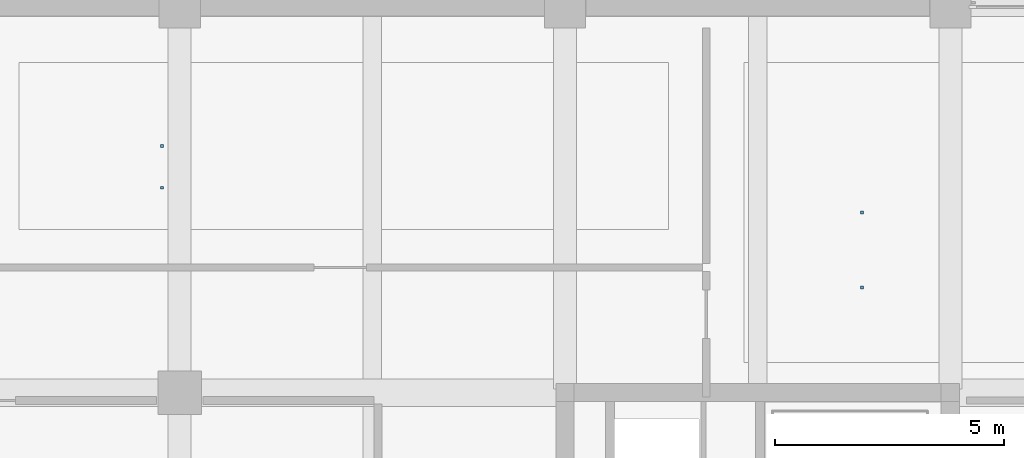
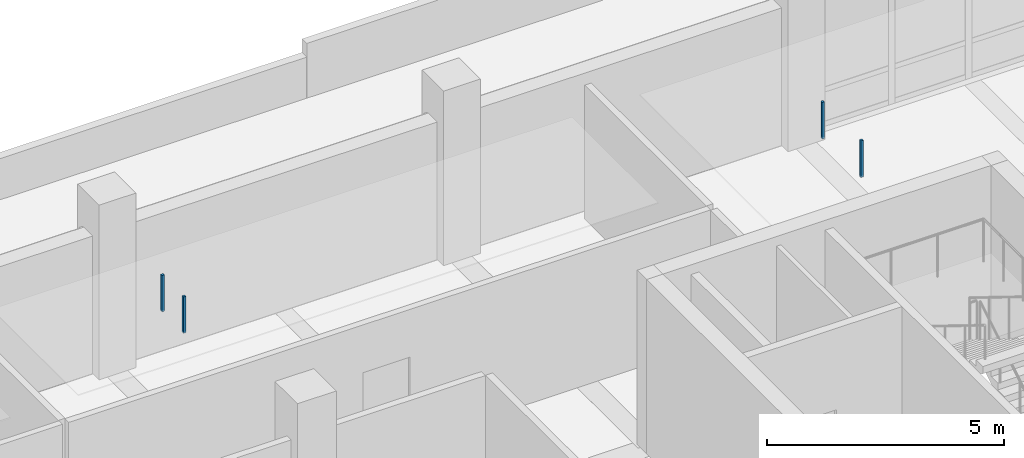
# One storey, part 32 of 59: 4 discrete accessories.
"""IFC4 building model written with IfcOpenShell, lengths in metres."""

from ifc_helpers import new_model, si_unit, direction, frame, origin, origin_2d, place, context, subcontext, project, spatial, rectangle, extrude, material, type_object, element, save


model = new_model("IFC4")

# Units and contexts
model_context = context("Model", 3, precision=1e-05, world=origin(), true_north=direction((0.0, 1.0)))
body_context = subcontext(model_context, "Body", "Model", "MODEL_VIEW")
ifc_project = project(units=[si_unit("LENGTHUNIT", "METRE"), si_unit("AREAUNIT", "SQUARE_METRE"), si_unit("VOLUMEUNIT", "CUBIC_METRE"), si_unit("PLANEANGLEUNIT", "RADIAN"), si_unit("MASSUNIT", "GRAM", prefix="KILO")], contexts=[model_context])

# Site, building, storey
site_placement = place(None, origin())
site = spatial("IfcSite", under=ifc_project, at=site_placement, CompositionType="ELEMENT")
building_placement = place(site_placement, origin())
building = spatial("IfcBuilding", under=site, at=building_placement, Name="Telukmera Botanical Conservatory", CompositionType="ELEMENT")
storey_placement = place(building_placement, frame((0.0, 0.0, 15.0)))
storey = spatial("IfcBuildingStorey", under=building, at=storey_placement, Name="L03", CompositionType="ELEMENT", Elevation=15.0)

# Discrete accessories
ifc_material = material(Name="Steel S355", Category="steel")
discrete_accessory_type = type_object("IfcDiscreteAccessoryType", Name="ACC-CEIL-HGR", PredefinedType="BRACKET", material=ifc_material)
for number, where, z_axis, x_axis, name in (
    (1, (83.613037109375, 38.862548828125, 3.320068359375), (0.0, 0.0, 1.0), (1.0, 0.0, 0.0), "L03 Suspended Ceiling Hanger Rod 045-1"),
    (2, (83.613037109375, 39.77490234375, 3.320068359375), (0.0, 0.0, 1.0), (1.0, 0.0, 0.0), "L03 Suspended Ceiling Hanger Rod 045-2"),
):
    element("IfcDiscreteAccessory", number, at=place(storey_placement, frame(where, z_axis=z_axis, x_axis=x_axis)), inside=storey, type_object=discrete_accessory_type, Name=name, PredefinedType="BRACKET", context=body_context, shape_type="SweptSolid", body=[
        extrude(rectangle(XDim=0.06005859375, YDim=0.06005859375, at=origin_2d()), origin(), (0.0, 0.0, 1.0), 0.93505859375),
    ])
for number, where, z_axis, x_axis, name in (
    (3, (98.8740234375, 36.6875, 3.31005859375), (0.0, 0.0, 1.0), (1.0, 0.0, 0.0), "L03 Suspended Ceiling Hanger Rod 046-1"),
    (4, (98.8740234375, 38.324951171875, 3.31005859375), (0.0, 0.0, 1.0), (1.0, 0.0, 0.0), "L03 Suspended Ceiling Hanger Rod 046-2"),
):
    element("IfcDiscreteAccessory", number, at=place(storey_placement, frame(where, z_axis=z_axis, x_axis=x_axis)), inside=storey, type_object=discrete_accessory_type, Name=name, PredefinedType="BRACKET", context=body_context, shape_type="SweptSolid", body=[
        extrude(rectangle(XDim=0.06005859375, YDim=0.06005859375, at=origin_2d()), origin(), (0.0, 0.0, 1.0), 0.945068359375),
    ])

save(model, "model.ifc")
